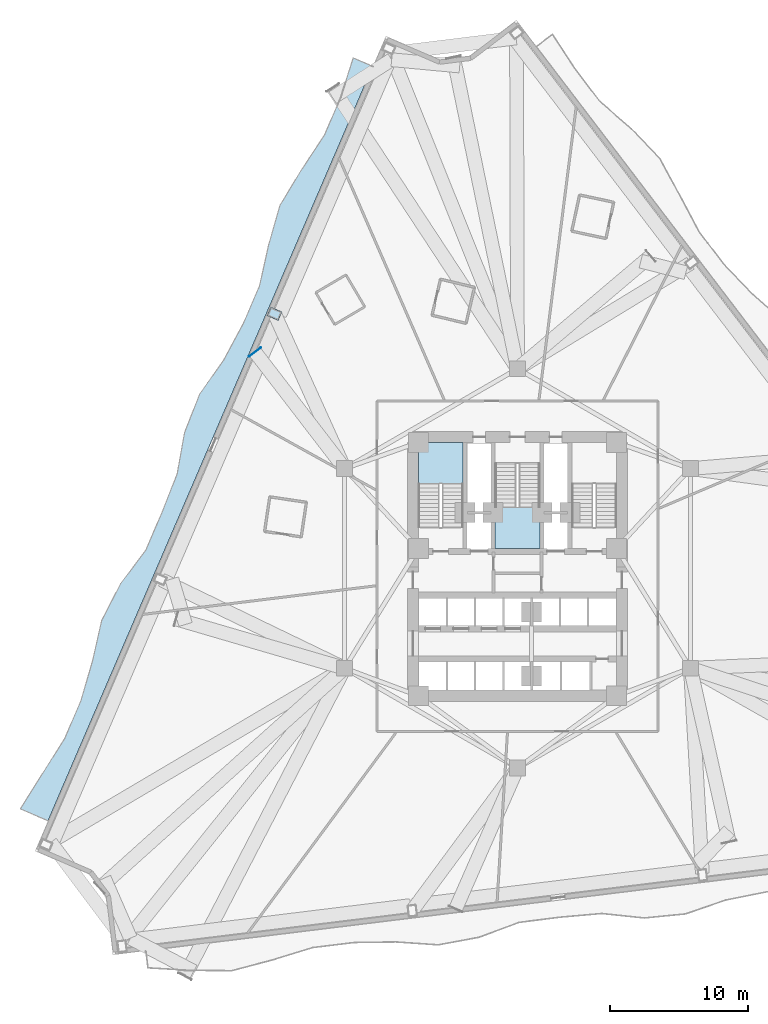
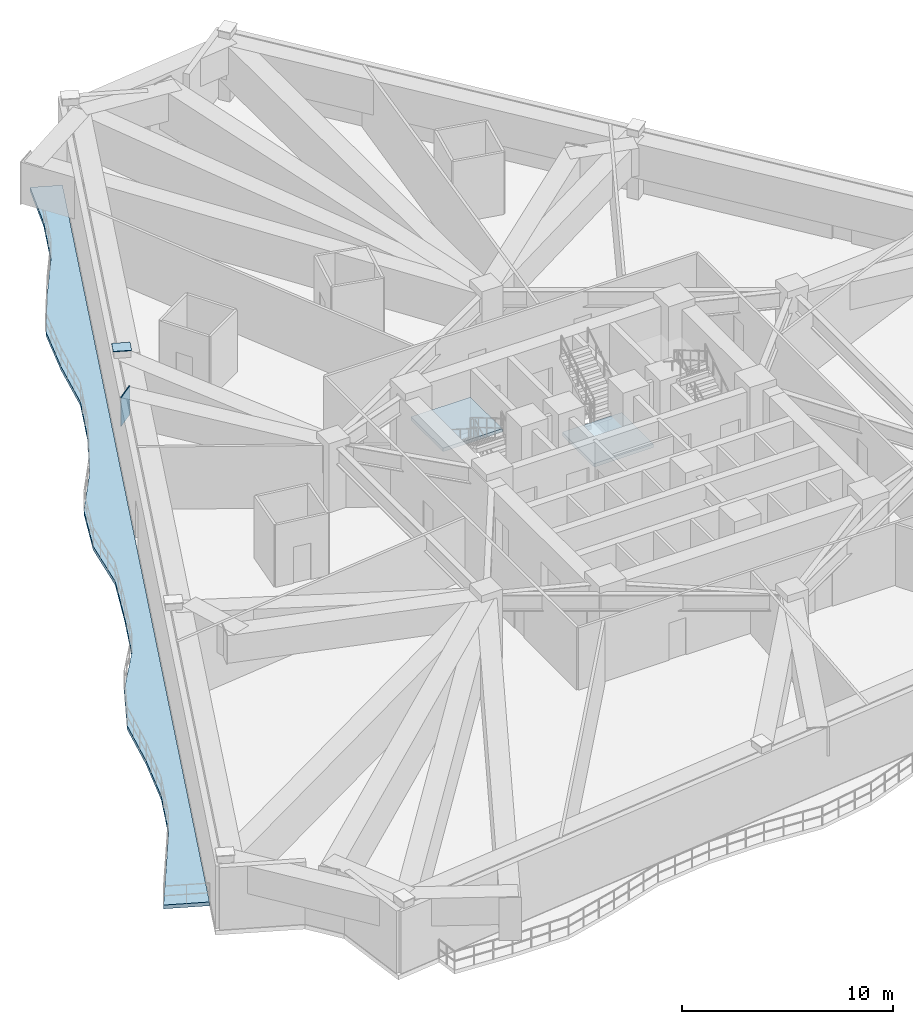
# One storey, part 4 of 14: 3 slabs, 2 plates, 2 elements without a shape of their own.
"""IFC4 building model written with IfcOpenShell, lengths in metres."""

from ifc_helpers import new_model, si_unit, direction, frame, origin, origin_2d, place, context, subcontext, project, spatial, polyline, rectangle, outline, extrude, material, layer, layer_set, type_object, element, aggregate, save


model = new_model("IFC4")

# Units and contexts
model_context = context("Model", 3, precision=1e-05, world=origin(), true_north=direction((0.0, 1.0)))
body_context = subcontext(model_context, "Body", "Model", "MODEL_VIEW")
ifc_project = project(units=[si_unit("LENGTHUNIT", "METRE"), si_unit("AREAUNIT", "SQUARE_METRE"), si_unit("VOLUMEUNIT", "CUBIC_METRE"), si_unit("PLANEANGLEUNIT", "RADIAN"), si_unit("MASSUNIT", "GRAM", prefix="KILO")], contexts=[model_context])

# Site, building, storey
site_placement = place(None, origin())
site = spatial("IfcSite", under=ifc_project, at=site_placement, CompositionType="ELEMENT")
building_placement = place(site_placement, origin())
building = spatial("IfcBuilding", under=site, at=building_placement, Name="Apsidion Concourse Tower", CompositionType="ELEMENT")
storey_placement = place(building_placement, frame((0.0, 0.0, 91.0)))
storey = spatial("IfcBuildingStorey", under=building, at=storey_placement, Name="L20", CompositionType="ELEMENT", Elevation=91.0)

# Plates
ifc_material_1 = material(Name="Structural steel ASTM A572 Grade 50", Category="steel")
ifc_layer_1 = layer(ifc_material_1, 0.034912109375)
ifc_layer_set_1 = layer_set([ifc_layer_1], Name="Structural steel ASTM A572 Grade 50")
plate_type = type_object("IfcPlateType", Name="PL-ENDCAP-35", PredefinedType="USERDEFINED", material=ifc_layer_set_1)
plate_1_placement = place(storey_placement, frame((-17.64794921875, 18.49462890625, 3.998046875), z_axis=(0.0, 0.0, 1.0), x_axis=(0.395545502563, 0.918446381343, 0.0)))
element("IfcPlate", 1, at=plate_1_placement, inside=storey, type_object=plate_type, Name="L20 Step-Top Column End-Cap Plate PCCAP-PC02", ObjectType="FLANGE_PLATE", PredefinedType="USERDEFINED", context=body_context, shape_type="SweptSolid", body=[
    extrude(rectangle(XDim=0.679931640625, YDim=0.8798828125, at=origin_2d()), origin(), (0.0, 0.0, 1.0), 0.0400390625),
])
plate_2_placement = place(storey_placement, frame((-19.0634765625, 15.7138671875, 1.9599609375), z_axis=(0.0, 0.0, 1.0), x_axis=(-0.609315145729, 0.792928151339, 0.0)))
element("IfcPlate", 2, at=plate_2_placement, inside=storey, type_object=plate_type, Name="L20 Radial Transfer Girder End-Cap Plate NTRCAP-02", ObjectType="FLANGE_PLATE", PredefinedType="USERDEFINED", context=body_context, shape_type="SweptSolid", body=[
    extrude(rectangle(XDim=0.044921875, YDim=1.080078125, at=origin_2d()), origin(), (0.0, 0.0, 1.0), 1.679931640625),
])

# Slab
ifc_material_2 = material(Name="Concrete C50/60", Category="concrete")
ifc_layer_2 = layer(ifc_material_2, 0.219970703125)
ifc_layer_set_2 = layer_set([ifc_layer_2], Name="Concrete C50/60")
slab_type_1 = type_object("IfcSlabType", Name="SL-BAL-220", PredefinedType="FLOOR", material=ifc_layer_set_2)
slab_1_placement = place(storey_placement, frame((0.0, 0.0, -0.219970703125)))
element("IfcSlab", 3, at=slab_1_placement, inside=storey, type_object=slab_type_1, Name="L20 Face 1 Rippling Balcony Slab", PredefinedType="FLOOR", context=body_context, shape_type="SweptSolid", body=[
    extrude(outline(polyline([(-10.510986328125, 36.466796875), (-11.690673828125, 33.726806640625), (-12.8701171875, 30.987060546875), (-14.049560546875, 28.247314453125), (-15.22900390625, 25.50732421875), (-16.40869140625, 22.767578125), (-17.588134765625, 20.02783203125), (-18.767578125, 17.2880859375), (-19.947021484375, 14.548095703125), (-21.126708984375, 11.808349609375), (-22.30615234375, 9.068603515625), (-23.485595703125, 6.32861328125), (-24.6650390625, 3.5888671875), (-25.844482421875, 0.84912109375), (-27.024169921875, -1.890869140625), (-28.20361328125, -4.630615234375), (-29.383056640625, -7.370361328125), (-30.5625, -10.110107421875), (-31.7421875, -12.85009765625), (-32.921630859375, -15.58984375), (-34.10107421875, -18.32958984375), (-36.116455078125, -17.462158203125), (-34.501708984375, -14.90966796875), (-32.89013671875, -12.355712890625), (-31.710693359375, -9.615966796875), (-30.87060546875, -6.72998046875), (-30.198974609375, -3.771484375), (-28.82861328125, -1.114013671875), (-26.99267578125, 1.34326171875), (-25.813232421875, 4.0830078125), (-24.72216796875, 6.861083984375), (-24.17919921875, 9.875), (-23.087158203125, 12.65234375), (-21.3388671875, 15.147216796875), (-19.915771484375, 17.7822265625), (-18.736083984375, 20.522216796875), (-18.0791015625, 23.48681640625), (-17.24951171875, 26.377197265625), (-15.690673828125, 28.95361328125), (-14.018310546875, 31.481201171875), (-12.838623046875, 34.22119140625), (-11.934814453125, 37.07958984375), (-10.510986328125, 36.466796875)])), origin(), (0.0, 0.0, 1.0), 0.219970703125),
])

# Stair, slab
ifc_material_3 = material(Name="Precast concrete C40/50", Category="concrete")
stair_type = type_object("IfcStairType", Name="ST-DL-1550", PredefinedType="HALF_TURN_STAIR", material=ifc_material_3)
stair_1_placement = place(storey_placement, origin())
stair_1 = element("IfcStair", 4, at=stair_1_placement, inside=storey, type_object=stair_type, Name="L20 Protected Core Exit Stair ST1", PredefinedType="HALF_TURN_STAIR")
ifc_layer_3 = layer(ifc_material_2, 0.199951171875)
ifc_layer_set_3 = layer_set([ifc_layer_3], Name="Concrete C50/60")
slab_type_2 = type_object("IfcSlabType", Name="SL-ST-LAND-200", PredefinedType="LANDING", material=ifc_layer_set_3)
slab_2_placement = place(storey_placement, frame((0.0, 0.0, 1.800048828125)))
slab_2 = element("IfcSlab", 5, at=slab_2_placement, type_object=slab_type_2, Name="ST1 landing 1", PredefinedType="LANDING", context=body_context, shape_type="SweptSolid", body=[
    extrude(outline(polyline([(-3.949951171875, 6.135009765625), (-3.949951171875, 9.14990234375), (-7.199951171875, 9.14990234375), (-7.199951171875, 6.135009765625), (-3.949951171875, 6.135009765625)])), origin(), (0.0, 0.0, 1.0), 0.199951171875),
])
aggregate(stair_1, [slab_2])

stair_2_placement = place(storey_placement, origin())
stair_2 = element("IfcStair", 6, at=stair_2_placement, inside=storey, type_object=stair_type, Name="L20 Protected Core Exit Stair ST3", PredefinedType="HALF_TURN_STAIR")
slab_3_placement = place(storey_placement, frame((0.0, 0.0, 1.800048828125)))
slab_3 = element("IfcSlab", 7, at=slab_3_placement, type_object=slab_type_2, Name="ST3 landing 1", PredefinedType="LANDING", context=body_context, shape_type="SweptSolid", body=[
    extrude(outline(polyline([(-1.625, 4.465087890625), (-1.625, 1.449951171875), (1.625, 1.449951171875), (1.625, 4.465087890625), (-1.625, 4.465087890625)])), origin(), (0.0, 0.0, 1.0), 0.199951171875),
])
aggregate(stair_2, [slab_3])

save(model, "model.ifc")
